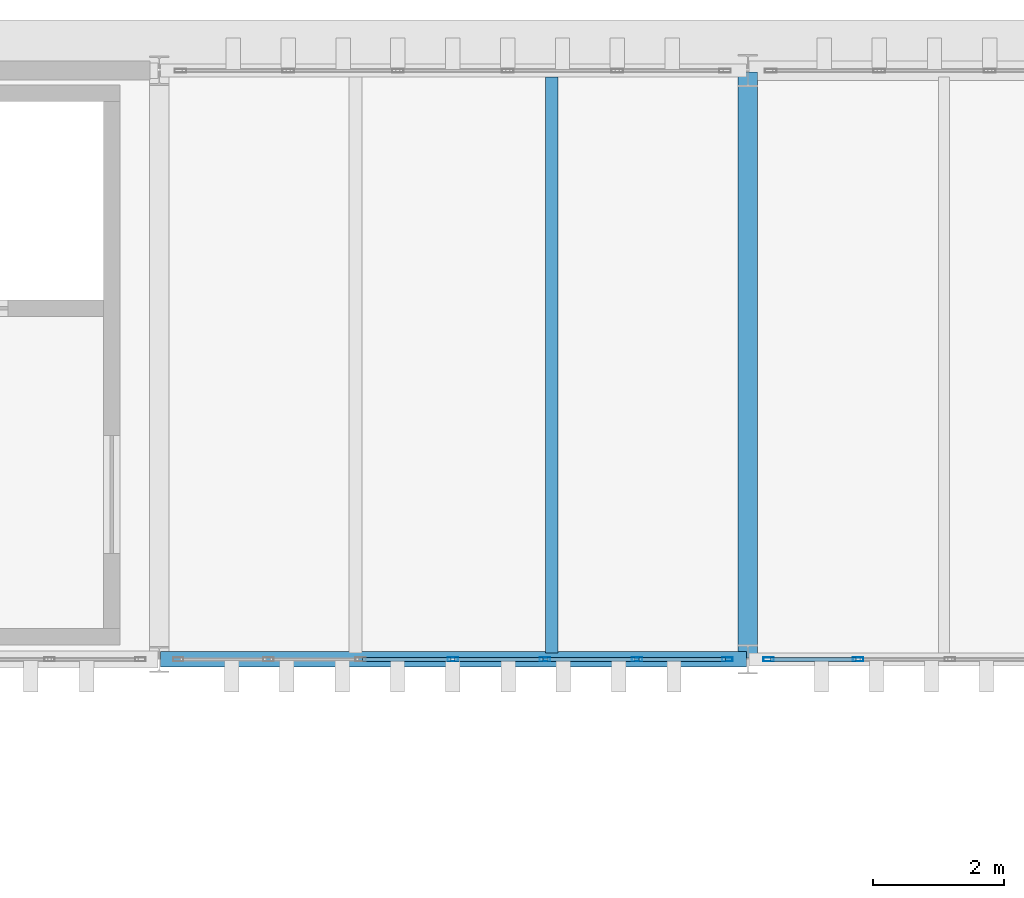
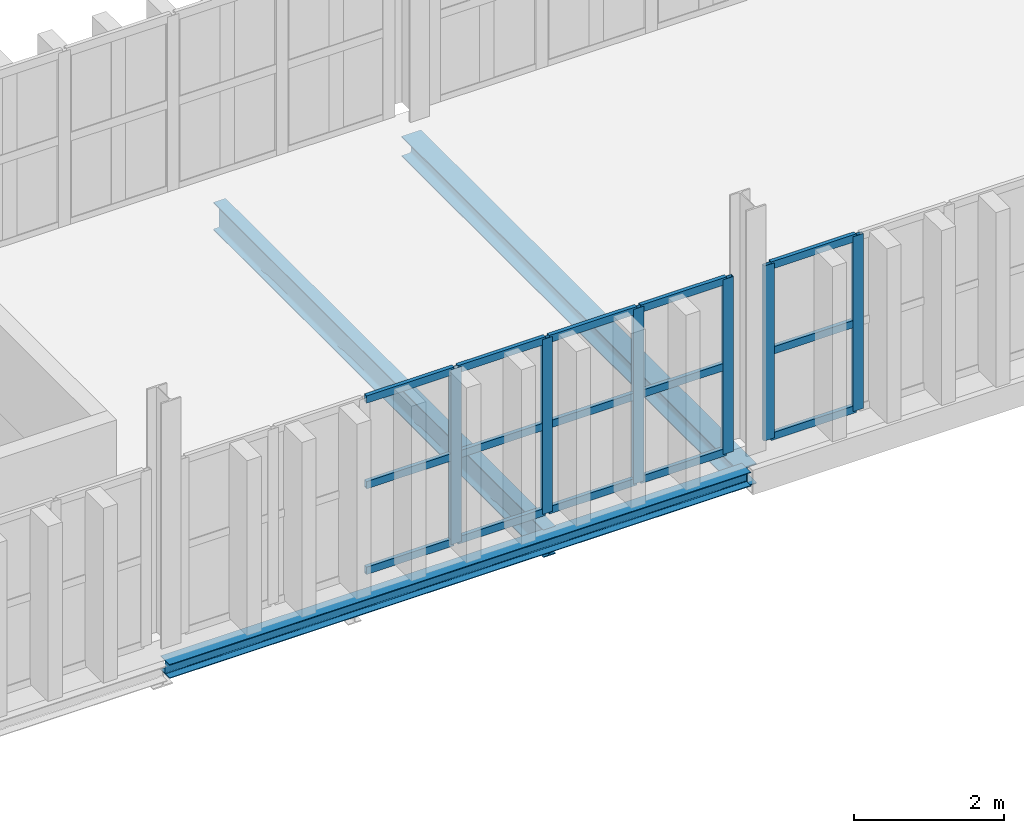
# One storey, part 65 of 102: 21 members, 3 beams, 2 elements without a shape of their own.
"""IFC4 building model written with IfcOpenShell, lengths in metres."""

from ifc_helpers import new_model, si_unit, direction, frame, origin, origin_2d, place, context, subcontext, project, spatial, hollow_rectangle, i_section, extrude, material, layer, layer_set, material_profile, profile_set, type_object, element, aggregate, save


model = new_model("IFC4")

# Units and contexts
model_context = context("Model", 3, precision=1e-05, world=origin(), true_north=direction((0.0, 1.0)))
body_context = subcontext(model_context, "Body", "Model", "MODEL_VIEW")
ifc_project = project(units=[si_unit("LENGTHUNIT", "METRE"), si_unit("AREAUNIT", "SQUARE_METRE"), si_unit("VOLUMEUNIT", "CUBIC_METRE"), si_unit("PLANEANGLEUNIT", "RADIAN"), si_unit("MASSUNIT", "GRAM", prefix="KILO")], contexts=[model_context])

# Site, building, storey
site_placement = place(None, origin())
site = spatial("IfcSite", under=ifc_project, at=site_placement, CompositionType="ELEMENT")
building_placement = place(site_placement, origin())
building = spatial("IfcBuilding", under=site, at=building_placement, Name="Barlavento Convention Centre", CompositionType="ELEMENT")
storey_placement = place(building_placement, frame((0.0, 0.0, 22.800048828125)))
storey = spatial("IfcBuildingStorey", under=building, at=storey_placement, Name="L04", CompositionType="ELEMENT", Elevation=22.800048828125)

# Curtain wall, members
ifc_material_1 = material(Name="Powder-coated aluminium and Low-E glass", Category="aluminium")
ifc_layer = layer(ifc_material_1, 0.179931640625)
ifc_layer_set = layer_set([ifc_layer], Name="ARC-CW-PATIO-B")
curtain_wall_type = type_object("IfcCurtainWallType", Name="ARC-CW-PATIO-B", PredefinedType="NOTDEFINED", material=ifc_layer_set)
curtain_wall_1_placement = place(storey_placement, origin())
curtain_wall_1 = element("IfcCurtainWall", 1, at=curtain_wall_1_placement, inside=storey, type_object=curtain_wall_type, Name="L04 unitised curtain wall CW12", PredefinedType="NOTDEFINED")
ifc_material_2 = material(Name="Powder-coated aluminium", Category="aluminium")
ifc_material_profile_1 = material_profile(ifc_material_2, hollow_rectangle(XDim=0.06005859375, YDim=0.159912109375, WallThickness=0.00390625, at=origin_2d()), Name="AL-MULL 60x160x4")
ifc_profile_set_1 = profile_set([ifc_material_profile_1], Name="Powder-coated aluminium")
member_type_1 = type_object("IfcMemberType", Name="ARC-CWM-60X160", PredefinedType="MULLION", material=ifc_profile_set_1)
member_1_placement = place(storey_placement, frame((157.487548828125, 90.0, 0.0), z_axis=(0.0, 0.0, 1.0), x_axis=(0.0, 1.0, 0.0)))
member_1 = element("IfcMember", 2, at=member_1_placement, type_object=member_type_1, Name="CW12 mullion 4", PredefinedType="MULLION", context=body_context, shape_type="SweptSolid", body=[
    extrude(hollow_rectangle(XDim=0.06005859375, YDim=0.159912109375, WallThickness=0.00390625, at=origin_2d()), origin(), (0.0, 0.0, 1.0), 2.849853515625),
])
member_2_placement = place(storey_placement, frame((158.896728515625, 90.0, 0.0), z_axis=(0.0, 0.0, 1.0), x_axis=(0.0, 1.0, 0.0)))
member_2 = element("IfcMember", 3, at=member_2_placement, type_object=member_type_1, Name="CW12 mullion 5", PredefinedType="MULLION", context=body_context, shape_type="SweptSolid", body=[
    extrude(hollow_rectangle(XDim=0.06005859375, YDim=0.159912109375, WallThickness=0.00390625, at=origin_2d()), origin(), (0.0, 0.0, 1.0), 2.849853515625),
])
member_3_placement = place(storey_placement, frame((160.305908203125, 90.0, 0.0), z_axis=(0.0, 0.0, 1.0), x_axis=(0.0, 1.0, 0.0)))
member_3 = element("IfcMember", 4, at=member_3_placement, type_object=member_type_1, Name="CW12 mullion 6", PredefinedType="MULLION", context=body_context, shape_type="SweptSolid", body=[
    extrude(hollow_rectangle(XDim=0.06005859375, YDim=0.159912109375, WallThickness=0.00390625, at=origin_2d()), origin(), (0.0, 0.0, 1.0), 2.849853515625),
])
member_4_placement = place(storey_placement, frame((161.68505859375, 90.0, 0.0), z_axis=(0.0, 0.0, 1.0), x_axis=(0.0, 1.0, 0.0)))
member_4 = element("IfcMember", 5, at=member_4_placement, type_object=member_type_1, Name="CW12 mullion 7", PredefinedType="MULLION", context=body_context, shape_type="SweptSolid", body=[
    extrude(hollow_rectangle(XDim=0.06005859375, YDim=0.159912109375, WallThickness=0.00390625, at=origin_2d()), origin(), (0.0, 0.0, 1.0), 2.849853515625),
])

curtain_wall_2_placement = place(storey_placement, origin())
curtain_wall_2 = element("IfcCurtainWall", 6, at=curtain_wall_2_placement, inside=storey, type_object=curtain_wall_type, Name="L04 unitised curtain wall CW12", PredefinedType="NOTDEFINED")
member_5_placement = place(storey_placement, frame((162.31494140625, 90.0, 0.0), z_axis=(0.0, 0.0, 1.0), x_axis=(0.0, 1.0, 0.0)))
member_5 = element("IfcMember", 7, at=member_5_placement, type_object=member_type_1, Name="CW12 mullion 1", PredefinedType="MULLION", context=body_context, shape_type="SweptSolid", body=[
    extrude(hollow_rectangle(XDim=0.06005859375, YDim=0.159912109375, WallThickness=0.00390625, at=origin_2d()), origin(), (0.0, 0.0, 1.0), 2.849853515625),
])
member_6_placement = place(storey_placement, frame((163.685791015625, 90.0, 0.0), z_axis=(0.0, 0.0, 1.0), x_axis=(0.0, 1.0, 0.0)))
member_6 = element("IfcMember", 8, at=member_6_placement, type_object=member_type_1, Name="CW12 mullion 2", PredefinedType="MULLION", context=body_context, shape_type="SweptSolid", body=[
    extrude(hollow_rectangle(XDim=0.06005859375, YDim=0.159912109375, WallThickness=0.00390625, at=origin_2d()), origin(), (0.0, 0.0, 1.0), 2.849853515625),
])

# Member
ifc_material_profile_2 = material_profile(ifc_material_2, hollow_rectangle(XDim=0.06005859375, YDim=0.1201171875, WallThickness=0.00390625, at=origin_2d()), Name="AL-TRAN 60x120x4")
ifc_profile_set_2 = profile_set([ifc_material_profile_2], Name="Powder-coated aluminium")
member_type_2 = type_object("IfcMemberType", Name="ARC-CWT-60X120", PredefinedType="USERDEFINED", material=ifc_profile_set_2)
member_7_placement = place(storey_placement, frame((156.1083984375, 90.0, 0.030029296875), z_axis=(1.0, 0.0, 0.0), x_axis=(0.0, 1.0, 0.0)))
member_7 = element("IfcMember", 9, at=member_7_placement, type_object=member_type_2, Name="CW12 transom 3.1", ObjectType="TRANSOM", PredefinedType="USERDEFINED", context=body_context, shape_type="SweptSolid", body=[
    extrude(hollow_rectangle(XDim=0.06005859375, YDim=0.1201171875, WallThickness=0.00390625, at=origin_2d()), origin(), (0.0, 0.0, 1.0), 1.34912109375),
])

member_8_placement = place(storey_placement, frame((156.1083984375, 90.0, 1.425048828125), z_axis=(1.0, 0.0, 0.0), x_axis=(0.0, 1.0, 0.0)))
member_8 = element("IfcMember", 10, at=member_8_placement, type_object=member_type_2, Name="CW12 transom 3.2", ObjectType="TRANSOM", PredefinedType="USERDEFINED", context=body_context, shape_type="SweptSolid", body=[
    extrude(hollow_rectangle(XDim=0.06005859375, YDim=0.1201171875, WallThickness=0.00390625, at=origin_2d()), origin(), (0.0, 0.0, 1.0), 1.34912109375),
])

member_9_placement = place(storey_placement, frame((156.1083984375, 90.0, 2.820068359375), z_axis=(1.0, 0.0, 0.0), x_axis=(0.0, 1.0, 0.0)))
member_9 = element("IfcMember", 11, at=member_9_placement, type_object=member_type_2, Name="CW12 transom 3.3", ObjectType="TRANSOM", PredefinedType="USERDEFINED", context=body_context, shape_type="SweptSolid", body=[
    extrude(hollow_rectangle(XDim=0.06005859375, YDim=0.1201171875, WallThickness=0.00390625, at=origin_2d()), origin(), (0.0, 0.0, 1.0), 1.34912109375),
])

member_10_placement = place(storey_placement, frame((157.517578125, 90.0, 0.030029296875), z_axis=(1.0, 0.0, 0.0), x_axis=(0.0, 1.0, 0.0)))
member_10 = element("IfcMember", 12, at=member_10_placement, type_object=member_type_2, Name="CW12 transom 4.1", ObjectType="TRANSOM", PredefinedType="USERDEFINED", context=body_context, shape_type="SweptSolid", body=[
    extrude(hollow_rectangle(XDim=0.06005859375, YDim=0.1201171875, WallThickness=0.00390625, at=origin_2d()), origin(), (0.0, 0.0, 1.0), 1.34912109375),
])

member_11_placement = place(storey_placement, frame((157.517578125, 90.0, 1.425048828125), z_axis=(1.0, 0.0, 0.0), x_axis=(0.0, 1.0, 0.0)))
member_11 = element("IfcMember", 13, at=member_11_placement, type_object=member_type_2, Name="CW12 transom 4.2", ObjectType="TRANSOM", PredefinedType="USERDEFINED", context=body_context, shape_type="SweptSolid", body=[
    extrude(hollow_rectangle(XDim=0.06005859375, YDim=0.1201171875, WallThickness=0.00390625, at=origin_2d()), origin(), (0.0, 0.0, 1.0), 1.34912109375),
])

member_12_placement = place(storey_placement, frame((157.517578125, 90.0, 2.820068359375), z_axis=(1.0, 0.0, 0.0), x_axis=(0.0, 1.0, 0.0)))
member_12 = element("IfcMember", 14, at=member_12_placement, type_object=member_type_2, Name="CW12 transom 4.3", ObjectType="TRANSOM", PredefinedType="USERDEFINED", context=body_context, shape_type="SweptSolid", body=[
    extrude(hollow_rectangle(XDim=0.06005859375, YDim=0.1201171875, WallThickness=0.00390625, at=origin_2d()), origin(), (0.0, 0.0, 1.0), 1.34912109375),
])

member_13_placement = place(storey_placement, frame((158.9267578125, 90.0, 0.030029296875), z_axis=(1.0, 0.0, 0.0), x_axis=(0.0, 1.0, 0.0)))
member_13 = element("IfcMember", 15, at=member_13_placement, type_object=member_type_2, Name="CW12 transom 5.1", ObjectType="TRANSOM", PredefinedType="USERDEFINED", context=body_context, shape_type="SweptSolid", body=[
    extrude(hollow_rectangle(XDim=0.06005859375, YDim=0.1201171875, WallThickness=0.00390625, at=origin_2d()), origin(), (0.0, 0.0, 1.0), 1.34912109375),
])

member_14_placement = place(storey_placement, frame((158.9267578125, 90.0, 1.425048828125), z_axis=(1.0, 0.0, 0.0), x_axis=(0.0, 1.0, 0.0)))
member_14 = element("IfcMember", 16, at=member_14_placement, type_object=member_type_2, Name="CW12 transom 5.2", ObjectType="TRANSOM", PredefinedType="USERDEFINED", context=body_context, shape_type="SweptSolid", body=[
    extrude(hollow_rectangle(XDim=0.06005859375, YDim=0.1201171875, WallThickness=0.00390625, at=origin_2d()), origin(), (0.0, 0.0, 1.0), 1.34912109375),
])

member_15_placement = place(storey_placement, frame((158.9267578125, 90.0, 2.820068359375), z_axis=(1.0, 0.0, 0.0), x_axis=(0.0, 1.0, 0.0)))
member_15 = element("IfcMember", 17, at=member_15_placement, type_object=member_type_2, Name="CW12 transom 5.3", ObjectType="TRANSOM", PredefinedType="USERDEFINED", context=body_context, shape_type="SweptSolid", body=[
    extrude(hollow_rectangle(XDim=0.06005859375, YDim=0.1201171875, WallThickness=0.00390625, at=origin_2d()), origin(), (0.0, 0.0, 1.0), 1.34912109375),
])

member_16_placement = place(storey_placement, frame((160.3359375, 90.0, 0.030029296875), z_axis=(1.0, 0.0, 0.0), x_axis=(0.0, 1.0, 0.0)))
member_16 = element("IfcMember", 18, at=member_16_placement, type_object=member_type_2, Name="CW12 transom 6.1", ObjectType="TRANSOM", PredefinedType="USERDEFINED", context=body_context, shape_type="SweptSolid", body=[
    extrude(hollow_rectangle(XDim=0.06005859375, YDim=0.1201171875, WallThickness=0.00390625, at=origin_2d()), origin(), (0.0, 0.0, 1.0), 1.319091796875),
])

member_17_placement = place(storey_placement, frame((160.3359375, 90.0, 1.425048828125), z_axis=(1.0, 0.0, 0.0), x_axis=(0.0, 1.0, 0.0)))
member_17 = element("IfcMember", 19, at=member_17_placement, type_object=member_type_2, Name="CW12 transom 6.2", ObjectType="TRANSOM", PredefinedType="USERDEFINED", context=body_context, shape_type="SweptSolid", body=[
    extrude(hollow_rectangle(XDim=0.06005859375, YDim=0.1201171875, WallThickness=0.00390625, at=origin_2d()), origin(), (0.0, 0.0, 1.0), 1.319091796875),
])

member_18_placement = place(storey_placement, frame((160.3359375, 90.0, 2.820068359375), z_axis=(1.0, 0.0, 0.0), x_axis=(0.0, 1.0, 0.0)))
member_18 = element("IfcMember", 20, at=member_18_placement, type_object=member_type_2, Name="CW12 transom 6.3", ObjectType="TRANSOM", PredefinedType="USERDEFINED", context=body_context, shape_type="SweptSolid", body=[
    extrude(hollow_rectangle(XDim=0.06005859375, YDim=0.1201171875, WallThickness=0.00390625, at=origin_2d()), origin(), (0.0, 0.0, 1.0), 1.319091796875),
])

aggregate(curtain_wall_1, [member_1, member_2, member_3, member_4, member_7, member_8, member_9, member_10, member_11, member_12, member_13, member_14, member_15, member_16, member_17, member_18])

member_19_placement = place(storey_placement, frame((162.344970703125, 90.0, 0.030029296875), z_axis=(1.0, 0.0, 0.0), x_axis=(0.0, 1.0, 0.0)))
member_19 = element("IfcMember", 21, at=member_19_placement, type_object=member_type_2, Name="CW12 transom 1.1", ObjectType="TRANSOM", PredefinedType="USERDEFINED", context=body_context, shape_type="SweptSolid", body=[
    extrude(hollow_rectangle(XDim=0.06005859375, YDim=0.1201171875, WallThickness=0.00390625, at=origin_2d()), origin(), (0.0, 0.0, 1.0), 1.310791015625),
])

member_20_placement = place(storey_placement, frame((162.344970703125, 90.0, 1.425048828125), z_axis=(1.0, 0.0, 0.0), x_axis=(0.0, 1.0, 0.0)))
member_20 = element("IfcMember", 22, at=member_20_placement, type_object=member_type_2, Name="CW12 transom 1.2", ObjectType="TRANSOM", PredefinedType="USERDEFINED", context=body_context, shape_type="SweptSolid", body=[
    extrude(hollow_rectangle(XDim=0.06005859375, YDim=0.1201171875, WallThickness=0.00390625, at=origin_2d()), origin(), (0.0, 0.0, 1.0), 1.310791015625),
])

member_21_placement = place(storey_placement, frame((162.344970703125, 90.0, 2.820068359375), z_axis=(1.0, 0.0, 0.0), x_axis=(0.0, 1.0, 0.0)))
member_21 = element("IfcMember", 23, at=member_21_placement, type_object=member_type_2, Name="CW12 transom 1.3", ObjectType="TRANSOM", PredefinedType="USERDEFINED", context=body_context, shape_type="SweptSolid", body=[
    extrude(hollow_rectangle(XDim=0.06005859375, YDim=0.1201171875, WallThickness=0.00390625, at=origin_2d()), origin(), (0.0, 0.0, 1.0), 1.310791015625),
])

aggregate(curtain_wall_2, [member_5, member_6, member_19, member_20, member_21])

# Beams
ifc_material_3 = material(Name="Steel S355", Category="steel")
ifc_material_profile_3 = material_profile(ifc_material_3, i_section(OverallWidth=0.18994140625, OverallDepth=0.449951171875, WebThickness=0.009521484375, FlangeThickness=0.0146484375, FilletRadius=0.02099609375, at=origin_2d()), Name="IPE 450")
ifc_profile_set_3 = profile_set([ifc_material_profile_3], Name="Steel S355")
beam_type_1 = type_object("IfcBeamType", Name="STR-BM-JST-IPE450", PredefinedType="JOIST", material=ifc_profile_set_3)
beam_1_placement = place(storey_placement, frame((159.0, 90.094970703125, -0.5849609375), z_axis=(0.0, 1.0, 0.0), x_axis=(-1.0, 0.0, 0.0)))
element("IfcBeam", 24, at=beam_1_placement, inside=storey, type_object=beam_type_1, Name="L04 composite floor joist SJ03", PredefinedType="JOIST", context=body_context, shape_type="SweptSolid", body=[
    extrude(i_section(OverallWidth=0.18994140625, OverallDepth=0.449951171875, WebThickness=0.009521484375, FlangeThickness=0.0146484375, FilletRadius=0.02099609375, at=origin_2d()), origin(), (0.0, 0.0, 1.0), 8.81005859375),
])
ifc_material_profile_4 = material_profile(ifc_material_3, i_section(OverallWidth=0.300048828125, OverallDepth=0.330078125, WebThickness=0.009521484375, FlangeThickness=0.0166015625, FilletRadius=0.027099609375, at=origin_2d()), Name="HEA 340")
ifc_profile_set_4 = profile_set([ifc_material_profile_4], Name="Steel S355")
beam_type_2 = type_object("IfcBeamType", Name="STR-BM-PRI-HEA340", PredefinedType="BEAM", material=ifc_profile_set_4)
beam_2_placement = place(storey_placement, frame((162.0, 90.02001953125, -0.525146484375), z_axis=(0.0, 1.0, 0.0), x_axis=(-1.0, 0.0, 0.0)))
element("IfcBeam", 25, at=beam_2_placement, inside=storey, type_object=beam_type_2, Name="L04 grid girder BG24", PredefinedType="BEAM", context=body_context, shape_type="SweptSolid", body=[
    extrude(i_section(OverallWidth=0.300048828125, OverallDepth=0.330078125, WebThickness=0.009521484375, FlangeThickness=0.0166015625, FilletRadius=0.027099609375, at=origin_2d()), origin(), (0.0, 0.0, 1.0), 8.9599609375),
])
ifc_material_profile_5 = material_profile(ifc_material_3, i_section(OverallWidth=0.239990234375, OverallDepth=0.22998046875, WebThickness=0.007568359375, FlangeThickness=0.011962890625, FilletRadius=0.02099609375, at=origin_2d()), Name="HEA 240")
ifc_profile_set_5 = profile_set([ifc_material_profile_5], Name="Steel S355")
beam_type_3 = type_object("IfcBeamType", Name="STR-BM-SPN-HEA240", PredefinedType="SPANDREL", material=ifc_profile_set_5)
beam_3_placement = place(storey_placement, frame((153.02001953125, 90.0, -0.47509765625), z_axis=(1.0, 0.0, 0.0), x_axis=(0.0, 1.0, 0.0)))
element("IfcBeam", 26, at=beam_3_placement, inside=storey, type_object=beam_type_3, Name="L04 primary girder SP05", PredefinedType="SPANDREL", context=body_context, shape_type="SweptSolid", body=[
    extrude(i_section(OverallWidth=0.239990234375, OverallDepth=0.22998046875, WebThickness=0.007568359375, FlangeThickness=0.011962890625, FilletRadius=0.02099609375, at=origin_2d()), origin(), (0.0, 0.0, 1.0), 8.9599609375),
])

save(model, "model.ifc")
